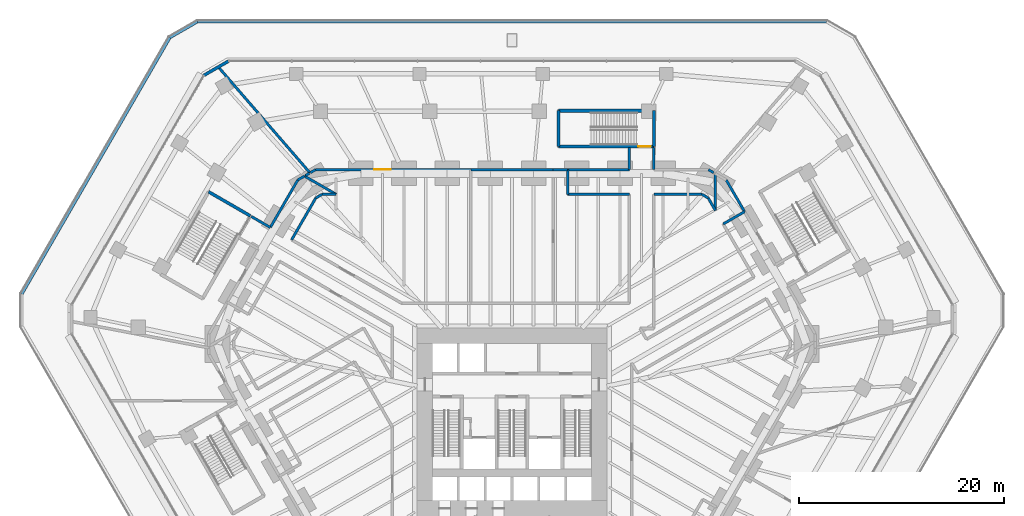
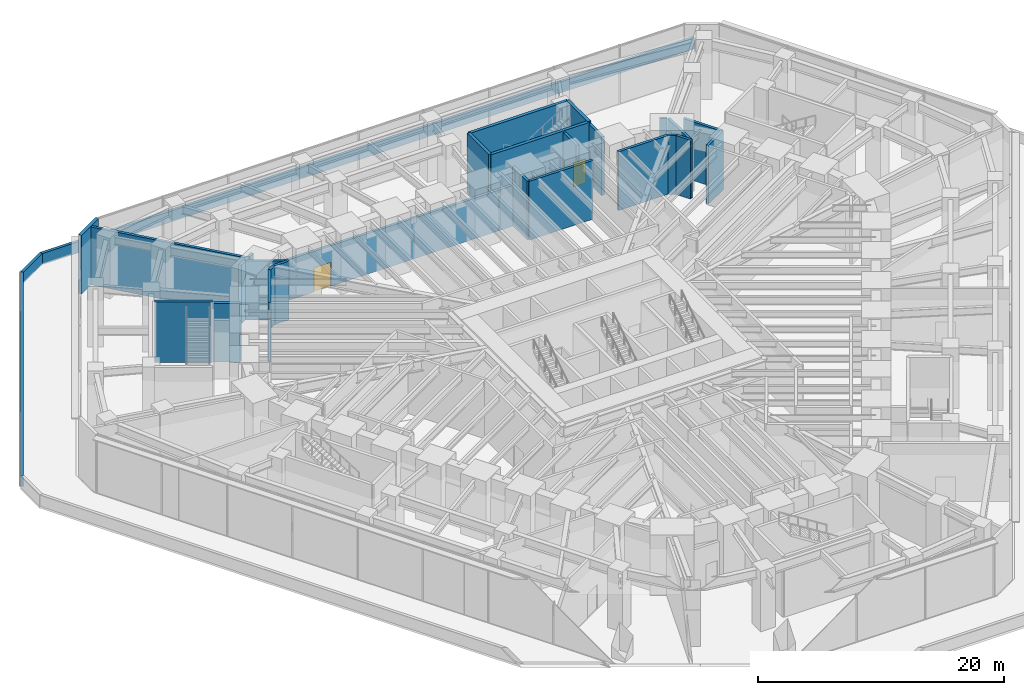
# One storey, part 19 of 25: 34 walls, 2 doors, 2 openings.
"""IFC4 building model written with IfcOpenShell, lengths in metres."""

from ifc_helpers import new_model, si_unit, direction, frame, frame_2d, origin, place, context, subcontext, project, spatial, rectangle, extrude, material, layer, layer_set, type_object, element, fill, save


model = new_model("IFC4")

# Units and contexts
model_context = context("Model", 3, precision=1e-05, world=origin(), true_north=direction((0.0, 1.0)))
body_context = subcontext(model_context, "Body", "Model", "MODEL_VIEW")
ifc_project = project(units=[si_unit("LENGTHUNIT", "METRE"), si_unit("AREAUNIT", "SQUARE_METRE"), si_unit("VOLUMEUNIT", "CUBIC_METRE"), si_unit("PLANEANGLEUNIT", "RADIAN"), si_unit("MASSUNIT", "GRAM", prefix="KILO")], contexts=[model_context])

# Site, building, storey
site_placement = place(None, origin())
site = spatial("IfcSite", under=ifc_project, at=site_placement, CompositionType="ELEMENT")
building_placement = place(site_placement, origin())
building = spatial("IfcBuilding", under=site, at=building_placement, Name="Sandreach Pilgrim Tower", CompositionType="ELEMENT")
storey_placement = place(building_placement, frame((0.0, 0.0, 6.0)))
storey = spatial("IfcBuildingStorey", under=building, at=storey_placement, Name="L01", CompositionType="ELEMENT", Elevation=6.0)

# Walls
ifc_material_1 = material(Name="Acoustic gypsum board wall, double frame", Category="gypsum")
ifc_layer_1 = layer(ifc_material_1, 0.25)
ifc_layer_set_1 = layer_set([ifc_layer_1], Name="Hall partition 250")
wall_type_1 = type_object("IfcWallType", Name="Hall partition 250", PredefinedType="PARTITIONING", material=ifc_layer_set_1)
wall_1_placement = place(storey_placement, frame((-23.56005859375, 17.419921875, 0.0), z_axis=(0.0, 0.0, 1.0), x_axis=(-0.864757143013, 0.502190286255, 0.0)))
element("IfcWall", 1, at=wall_1_placement, inside=storey, type_object=wall_type_1, Name="Hall partition L01-020", PredefinedType="PARTITIONING", context=body_context, shape_type="SweptSolid", body=[
    extrude(rectangle(XDim=2.150634765625, YDim=0.25, at=frame_2d((1.0751953125, 0.0))), origin(), (0.0, 0.0, 1.0), 5.840087890625),
])
wall_2_placement = place(storey_placement, frame((-21.47998046875, 16.219970703125, 0.0), z_axis=(0.0, 0.0, 1.0), x_axis=(0.499999753078, 0.866025546345, 0.0)))
element("IfcWall", 2, at=wall_2_placement, inside=storey, type_object=wall_type_1, Name="Hall partition L01-024", PredefinedType="PARTITIONING", context=body_context, shape_type="SweptSolid", body=[
    extrude(rectangle(XDim=4.69970703125, YDim=0.25, at=frame_2d((2.349853515625, 0.0))), origin(), (0.0, 0.0, 1.0), 5.840087890625),
])
wall_3_placement = place(storey_placement, frame((-20.8798828125, 22.050048828125, 0.0), z_axis=(0.0, 0.0, 1.0), x_axis=(-0.50097690648, -0.86546065143, 0.0)))
element("IfcWall", 3, at=wall_3_placement, inside=storey, type_object=wall_type_1, Name="Hall partition L01-026", PredefinedType="PARTITIONING", context=body_context, shape_type="SweptSolid", body=[
    extrude(rectangle(XDim=5.349853515625, YDim=0.25, at=frame_2d((2.6748046875, 0.0))), origin(), (0.0, 0.0, 1.0), 4.0400390625),
])
wall_4_placement = place(storey_placement, frame((-20.22998046875, 22.429931640625, 0.0), z_axis=(0.0, 0.0, 1.0), x_axis=(-0.863331575042, -0.504637088942, 0.0)))
element("IfcWall", 4, at=wall_4_placement, inside=storey, type_object=wall_type_1, Name="Hall partition L01-028", PredefinedType="PARTITIONING", context=body_context, shape_type="SweptSolid", body=[
    extrude(rectangle(XDim=0.752685546875, YDim=0.25, at=frame_2d((0.37646484375, 0.0))), origin(), (0.0, 0.0, 1.0), 5.840087890625),
])
wall_5_placement = place(storey_placement, frame((-19.746337890625, 22.707763671875, 0.0), z_axis=(0.0, 0.0, 1.0), x_axis=(-0.867257505244, -0.49785983931, 0.0)))
element("IfcWall", 5, at=wall_5_placement, inside=storey, type_object=wall_type_1, Name="Hall partition L01-029", PredefinedType="PARTITIONING", context=body_context, shape_type="SweptSolid", body=[
    extrude(rectangle(XDim=0.44287109375, YDim=0.25, at=frame_2d((0.221435546875, 0.0))), origin(), (0.0, 0.0, 1.0), 5.840087890625),
])
wall_6_placement = place(storey_placement, frame((-19.68994140625, 22.739990234375, 0.0), z_axis=(0.0, 0.0, 1.0), x_axis=(-0.654569518712, 0.756001815589, 0.0)))
element("IfcWall", 6, at=wall_6_placement, inside=storey, type_object=wall_type_1, Name="Hall partition L01-030", PredefinedType="PARTITIONING", context=body_context, shape_type="SweptSolid", body=[
    extrude(rectangle(XDim=13.673828125, YDim=0.25, at=frame_2d((6.8369140625, 0.0))), origin(), (0.0, 0.0, 1.0), 5.75),
])
wall_7_placement = place(storey_placement, frame((-19.14990234375, 23.050048828125, 0.0), z_axis=(0.0, 0.0, 1.0), x_axis=(-0.867193315, -0.497971640175, 0.0)))
element("IfcWall", 7, at=wall_7_placement, inside=storey, type_object=wall_type_1, Name="Hall partition L01-031", PredefinedType="PARTITIONING", context=body_context, shape_type="SweptSolid", body=[
    extrude(rectangle(XDim=0.587890625, YDim=0.25, at=frame_2d((0.2939453125, 0.0))), origin(), (0.0, 0.0, 1.0), 5.840087890625),
])
wall_8_placement = place(storey_placement, frame((-19.1298828125, 20.2900390625, 0.0), z_axis=(0.0, 0.0, 1.0), x_axis=(0.864827114446, 0.502069778138, 0.0)))
element("IfcWall", 8, at=wall_8_placement, inside=storey, type_object=wall_type_1, Name="Hall partition L01-032", PredefinedType="PARTITIONING", context=body_context, shape_type="SweptSolid", body=[
    extrude(rectangle(XDim=0.716796875, YDim=0.25, at=frame_2d((0.3583984375, 0.0))), origin(), (0.0, 0.0, 1.0), 5.840087890625),
])
wall_9_placement = place(storey_placement, frame((-18.510009765625, 20.64990234375, 0.0), z_axis=(0.0, 0.0, 1.0), x_axis=(1.0, 0.0, 0.0)))
element("IfcWall", 9, at=wall_9_placement, inside=storey, type_object=wall_type_1, Name="Hall partition L01-033", PredefinedType="PARTITIONING", context=body_context, shape_type="SweptSolid", body=[
    extrude(rectangle(XDim=1.3701171875, YDim=0.25, at=frame_2d((0.68505859375, 0.0))), origin(), (0.0, 0.0, 1.0), 5.840087890625),
])
wall_10_placement = place(storey_placement, frame((-17.139892578125, 20.64990234375, 0.0), z_axis=(0.0, 0.0, 1.0), x_axis=(-0.866514787199, 0.49915140345, 0.0)))
element("IfcWall", 10, at=wall_10_placement, inside=storey, type_object=wall_type_1, Name="Hall partition L01-034", PredefinedType="PARTITIONING", context=body_context, shape_type="SweptSolid", body=[
    extrude(rectangle(XDim=3.566162109375, YDim=0.25, at=frame_2d((1.783203125, 0.0))), origin(), (0.0, 0.0, 1.0), 5.840087890625),
])

# Wall, opening, door
wall_11_placement = place(storey_placement, frame((-4.0, 23.050048828125, 0.0), z_axis=(0.0, 0.0, 1.0), x_axis=(-1.0, 0.0, 0.0)))
wall_11 = element("IfcWall", 11, at=wall_11_placement, inside=storey, type_object=wall_type_1, Name="Hall partition L01-055", PredefinedType="PARTITIONING", context=body_context, shape_type="SweptSolid", body=[
    extrude(rectangle(XDim=15.14990234375, YDim=0.25, at=frame_2d((7.574951171875, 0.0))), origin(), (0.0, 0.0, 1.0), 4.0400390625),
])
opening_1_placement = place(wall_11_placement, frame((7.824951171875, 0.0, 0.0)))
opening_1 = element("IfcOpeningElement", 12, at=opening_1_placement, cuts=wall_11, Name="Opening D16-01", PredefinedType="OPENING", context=body_context, shape_type="SweptSolid", body=[
    extrude(rectangle(XDim=1.60009765625, YDim=2.39990234375, at=frame_2d((0.800048828125, 1.199951171875))), frame((0.0, 0.125, 0.0), z_axis=(0.0, -1.0, 0.0), x_axis=(1.0, 0.0, 0.0)), (0.0, 0.0, 1.0), 0.25),
])
ifc_material_2 = material(Name="Steel door and frame", Category="steel")
door_type_1 = type_object("IfcDoorType", Name="Hall double door", OperationType="DOUBLE_DOOR_SINGLE_SWING", PredefinedType="DOOR", material=ifc_material_2)
door_1_placement = place(opening_1_placement, origin())
door_1 = element("IfcDoor", 13, at=door_1_placement, inside=storey, type_object=door_type_1, Name="Door 0101", OperationType="DOUBLE_DOOR_SINGLE_SWING", OverallHeight=2.39990234375, OverallWidth=1.60009765625, PredefinedType="DOOR", context=body_context, shape_type="SweptSolid", body=[
    extrude(rectangle(XDim=1.60009765625, YDim=2.39990234375, at=frame_2d((0.800048828125, 1.199951171875))), frame((0.0, 0.02490234375, 0.0), z_axis=(0.0, -1.0, 0.0), x_axis=(1.0, 0.0, 0.0)), (0.0, 0.0, 1.0), 0.050048828125),
])
fill(opening_1, door_1)

# Walls
wall_12_placement = place(storey_placement, frame((4.0, 23.050048828125, 0.0), z_axis=(0.0, 0.0, 1.0), x_axis=(-1.0, 0.0, 0.0)))
element("IfcWall", 14, at=wall_12_placement, inside=storey, type_object=wall_type_1, Name="Hall partition L01-072", PredefinedType="PARTITIONING", context=body_context, shape_type="SweptSolid", body=[
    extrude(rectangle(XDim=8.0, YDim=0.25, at=frame_2d((4.0, 0.0))), origin(), (0.0, 0.0, 1.0), 4.0400390625),
])
wall_13_placement = place(storey_placement, frame((5.429931640625, 20.64990234375, 0.0), z_axis=(0.0, 0.0, 1.0), x_axis=(1.0, 0.0, 0.0)))
element("IfcWall", 15, at=wall_13_placement, inside=storey, type_object=wall_type_1, Name="Hall partition L01-075", PredefinedType="PARTITIONING", context=body_context, shape_type="SweptSolid", body=[
    extrude(rectangle(XDim=6.0, YDim=0.25, at=frame_2d((3.0, 0.0))), origin(), (0.0, 0.0, 1.0), 5.840087890625),
])
wall_14_placement = place(storey_placement, frame((5.429931640625, 23.050048828125, 0.0), z_axis=(0.0, 0.0, 1.0), x_axis=(-1.0, 0.0, 0.0)))
element("IfcWall", 16, at=wall_14_placement, inside=storey, type_object=wall_type_1, Name="Hall partition L01-076", PredefinedType="PARTITIONING", context=body_context, shape_type="SweptSolid", body=[
    extrude(rectangle(XDim=1.429931640625, YDim=0.25, at=frame_2d((0.71484375, 0.0))), origin(), (0.0, 0.0, 1.0), 4.0400390625),
])
wall_15_placement = place(storey_placement, frame((5.429931640625, 23.050048828125, 0.0), z_axis=(0.0, 0.0, 1.0), x_axis=(0.0, -1.0, 0.0)))
element("IfcWall", 17, at=wall_15_placement, inside=storey, type_object=wall_type_1, Name="Hall partition L01-077", PredefinedType="PARTITIONING", context=body_context, shape_type="SweptSolid", body=[
    extrude(rectangle(XDim=2.400146484375, YDim=0.25, at=frame_2d((1.2001953125, 0.0))), origin(), (0.0, 0.0, 1.0), 5.840087890625),
])
wall_16_placement = place(storey_placement, frame((11.429931640625, 23.050048828125, 0.0), z_axis=(0.0, 0.0, 1.0), x_axis=(-1.0, 0.0, 0.0)))
element("IfcWall", 18, at=wall_16_placement, inside=storey, type_object=wall_type_1, Name="Hall partition L01-092", PredefinedType="PARTITIONING", context=body_context, shape_type="SweptSolid", body=[
    extrude(rectangle(XDim=6.0, YDim=0.25, at=frame_2d((3.0, 0.0))), origin(), (0.0, 0.0, 1.0), 4.0400390625),
])
wall_17_placement = place(storey_placement, frame((11.429931640625, 25.199951171875, 0.0), z_axis=(0.0, 0.0, 1.0), x_axis=(0.0, -1.0, 0.0)))
element("IfcWall", 19, at=wall_17_placement, inside=storey, type_object=wall_type_1, Name="Hall partition L01-093", PredefinedType="PARTITIONING", context=body_context, shape_type="SweptSolid", body=[
    extrude(rectangle(XDim=2.14990234375, YDim=0.25, at=frame_2d((1.074951171875, 0.0))), origin(), (0.0, 0.0, 1.0), 5.840087890625),
])
wall_18_placement = place(storey_placement, frame((13.830078125, 20.64990234375, 0.0), z_axis=(0.0, 0.0, 1.0), x_axis=(1.0, 0.0, 0.0)))
element("IfcWall", 20, at=wall_18_placement, inside=storey, type_object=wall_type_1, Name="Hall partition L01-103", PredefinedType="PARTITIONING", context=body_context, shape_type="SweptSolid", body=[
    extrude(rectangle(XDim=4.679931640625, YDim=0.25, at=frame_2d((2.33984375, 0.0))), origin(), (0.0, 0.0, 1.0), 5.840087890625),
])
wall_19_placement = place(storey_placement, frame((13.830078125, 23.050048828125, 0.0), z_axis=(0.0, 0.0, 1.0), x_axis=(0.0, 1.0, 0.0)))
element("IfcWall", 21, at=wall_19_placement, inside=storey, type_object=wall_type_1, Name="Hall partition L01-104", PredefinedType="PARTITIONING", context=body_context, shape_type="SweptSolid", body=[
    extrude(rectangle(XDim=2.14990234375, YDim=0.25, at=frame_2d((1.074951171875, 0.0))), origin(), (0.0, 0.0, 1.0), 5.840087890625),
])
wall_20_placement = place(storey_placement, frame((18.510009765625, 20.64990234375, 0.0), z_axis=(0.0, 0.0, 1.0), x_axis=(0.864827114446, -0.502069778138, 0.0)))
element("IfcWall", 22, at=wall_20_placement, inside=storey, type_object=wall_type_1, Name="Hall partition L01-110", PredefinedType="PARTITIONING", context=body_context, shape_type="SweptSolid", body=[
    extrude(rectangle(XDim=0.716796875, YDim=0.25, at=frame_2d((0.3583984375, 0.0))), origin(), (0.0, 0.0, 1.0), 5.840087890625),
])
wall_21_placement = place(storey_placement, frame((19.1298828125, 20.2900390625, 0.0), z_axis=(0.0, 0.0, 1.0), x_axis=(0.500871040665, -0.865521923826, 0.0)))
element("IfcWall", 23, at=wall_21_placement, inside=storey, type_object=wall_type_1, Name="Hall partition L01-112", PredefinedType="PARTITIONING", context=body_context, shape_type="SweptSolid", body=[
    extrude(rectangle(XDim=1.39794921875, YDim=0.25, at=frame_2d((0.698974609375, 0.0))), origin(), (0.0, 0.0, 1.0), 5.840087890625),
])
wall_22_placement = place(storey_placement, frame((19.14990234375, 23.050048828125, 0.0), z_axis=(0.0, 0.0, 1.0), x_axis=(0.866627900645, -0.498954989777, 0.0)))
element("IfcWall", 24, at=wall_22_placement, inside=storey, type_object=wall_type_1, Name="Hall partition L01-114", PredefinedType="PARTITIONING", context=body_context, shape_type="SweptSolid", body=[
    extrude(rectangle(XDim=0.587646484375, YDim=0.25, at=frame_2d((0.2939453125, 0.0))), origin(), (0.0, 0.0, 1.0), 5.840087890625),
])
wall_23_placement = place(storey_placement, frame((19.830078125, 19.080078125, 0.0), z_axis=(0.0, 0.0, 1.0), x_axis=(-0.005576247883, 0.999984452609, 0.0)))
element("IfcWall", 25, at=wall_23_placement, inside=storey, type_object=wall_type_1, Name="Hall partition L01-116", PredefinedType="PARTITIONING", context=body_context, shape_type="SweptSolid", body=[
    extrude(rectangle(XDim=3.590087890625, YDim=0.25, at=frame_2d((1.794921875, 0.0))), origin(), (0.0, 0.0, 1.0), 5.840087890625),
])
wall_24_placement = place(storey_placement, frame((22.669921875, 18.9599609375, 0.0), z_axis=(0.0, 0.0, 1.0), x_axis=(-0.866177122335, -0.499737123639, 0.0)))
element("IfcWall", 26, at=wall_24_placement, inside=storey, type_object=wall_type_1, Name="Hall partition L01-121", PredefinedType="PARTITIONING", context=body_context, shape_type="SweptSolid", body=[
    extrude(rectangle(XDim=2.401123046875, YDim=0.25, at=frame_2d((1.20068359375, 0.0))), origin(), (0.0, 0.0, 1.0), 5.840087890625),
])
wall_25_placement = place(storey_placement, frame((22.669921875, 18.9599609375, 0.0), z_axis=(0.0, 0.0, 1.0), x_axis=(-0.501254541389, 0.865299881392, 0.0)))
element("IfcWall", 27, at=wall_25_placement, inside=storey, type_object=wall_type_1, Name="Hall partition L01-122", PredefinedType="PARTITIONING", context=body_context, shape_type="SweptSolid", body=[
    extrude(rectangle(XDim=3.571044921875, YDim=0.25, at=frame_2d((1.78564453125, 0.0))), origin(), (0.0, 0.0, 1.0), 5.840087890625),
])
ifc_material_3 = material(Name="Concrete 8000 psi", Category="concrete")
ifc_layer_2 = layer(ifc_material_3, 0.300048828125)
ifc_layer_set_2 = layer_set([ifc_layer_2], Name="Podium stair enclosure 300")
wall_type_2 = type_object("IfcWallType", Name="Podium stair enclosure 300", PredefinedType="SHEAR", material=ifc_layer_set_2)
wall_26_placement = place(storey_placement, frame((-29.573974609375, 20.89794921875, 0.0), z_axis=(0.0, 0.0, 1.0), x_axis=(0.866038532462, -0.499977259774, 0.0)))
element("IfcWall", 28, at=wall_26_placement, inside=storey, type_object=wall_type_2, Name="Stair ST6 enclosure L01 4", PredefinedType="SHEAR", context=body_context, shape_type="SweptSolid", body=[
    extrude(rectangle(XDim=4.699951171875, YDim=0.300048828125, at=frame_2d((2.35009765625, 0.0))), origin(), (0.0, 0.0, 1.0), 6.0),
])

# Wall, opening, door
wall_27_placement = place(storey_placement, frame((13.829833984375, 25.298828125, 0.0), z_axis=(0.0, 0.0, 1.0), x_axis=(-1.0, 0.0, 0.0)))
wall_27 = element("IfcWall", 29, at=wall_27_placement, inside=storey, type_object=wall_type_2, Name="Stair ST7 enclosure L01 1", PredefinedType="SHEAR", context=body_context, shape_type="SweptSolid", body=[
    extrude(rectangle(XDim=9.300048828125, YDim=0.300048828125, at=frame_2d((4.64990234375, 0.0))), origin(), (0.0, 0.0, 1.0), 6.0),
])
opening_2_placement = place(wall_27_placement, frame((0.300048828125, 0.0, 0.0)))
opening_2 = element("IfcOpeningElement", 30, at=opening_2_placement, cuts=wall_27, Name="Opening D12S-ST7", PredefinedType="OPENING", context=body_context, shape_type="SweptSolid", body=[
    extrude(rectangle(XDim=1.199951171875, YDim=2.39990234375, at=frame_2d((0.60009765625, 1.199951171875))), frame((0.0, 0.14990234375, 0.0), z_axis=(0.0, -1.0, 0.0), x_axis=(1.0, 0.0, 0.0)), (0.0, 0.0, 1.0), 0.300048828125),
])
ifc_material_4 = material(Name="Steel door and frame", Category="steel")
door_type_2 = type_object("IfcDoorType", Name="Narrow podium stair door", OperationType="SINGLE_SWING_LEFT", PredefinedType="DOOR", material=ifc_material_4)
door_2_placement = place(opening_2_placement, origin())
door_2 = element("IfcDoor", 31, at=door_2_placement, inside=storey, type_object=door_type_2, Name="Stair door ST7 L01", OperationType="SINGLE_SWING_LEFT", OverallHeight=2.39990234375, OverallWidth=1.199951171875, PredefinedType="DOOR", context=body_context, shape_type="SweptSolid", body=[
    extrude(rectangle(XDim=1.199951171875, YDim=2.39990234375, at=frame_2d((0.60009765625, 1.199951171875))), frame((0.0, 0.02490234375, 0.0), z_axis=(0.0, -1.0, 0.0), x_axis=(1.0, 0.0, 0.0)), (0.0, 0.0, 1.0), 0.050048828125),
])
fill(opening_2, door_2)

# Walls
wall_28_placement = place(storey_placement, frame((4.52978515625, 25.298828125, 0.0), z_axis=(0.0, 0.0, 1.0), x_axis=(0.0, 1.0, 0.0)))
element("IfcWall", 32, at=wall_28_placement, inside=storey, type_object=wall_type_2, Name="Stair ST7 enclosure L01 2", PredefinedType="SHEAR", context=body_context, shape_type="SweptSolid", body=[
    extrude(rectangle(XDim=3.5, YDim=0.300048828125, at=frame_2d((1.75, 0.0))), origin(), (0.0, 0.0, 1.0), 6.0),
])
wall_29_placement = place(storey_placement, frame((4.52978515625, 28.798828125, 0.0), z_axis=(0.0, 0.0, 1.0), x_axis=(1.0, 0.0, 0.0)))
element("IfcWall", 33, at=wall_29_placement, inside=storey, type_object=wall_type_2, Name="Stair ST7 enclosure L01 3", PredefinedType="SHEAR", context=body_context, shape_type="SweptSolid", body=[
    extrude(rectangle(XDim=9.300048828125, YDim=0.300048828125, at=frame_2d((4.64990234375, 0.0))), origin(), (0.0, 0.0, 1.0), 6.0),
])
wall_30_placement = place(storey_placement, frame((13.829833984375, 28.798828125, 0.0), z_axis=(0.0, 0.0, 1.0), x_axis=(0.0, -1.0, 0.0)))
element("IfcWall", 34, at=wall_30_placement, inside=storey, type_object=wall_type_2, Name="Stair ST7 enclosure L01 4", PredefinedType="SHEAR", context=body_context, shape_type="SweptSolid", body=[
    extrude(rectangle(XDim=3.5, YDim=0.300048828125, at=frame_2d((1.75, 0.0))), origin(), (0.0, 0.0, 1.0), 6.0),
])
ifc_material_5 = material(Name="Concrete parapet with terracotta coping", Category="masonry")
ifc_layer_3 = layer(ifc_material_5, 0.25)
ifc_layer_set_3 = layer_set([ifc_layer_3], Name="Setback parapet")
wall_type_3 = type_object("IfcWallType", Name="Setback parapet", PredefinedType="PARAPET", material=ifc_layer_set_3)
wall_31_placement = place(storey_placement, frame((-30.665283203125, 37.469482421875, 0.0), z_axis=(0.0, 0.0, 1.0), x_axis=(-0.866292085594, -0.499537808817, 0.0)))
element("IfcWall", 35, at=wall_31_placement, inside=storey, type_object=wall_type_3, Name="Setback parapet L01 1", PredefinedType="PARAPET", context=body_context, shape_type="SweptSolid", body=[
    extrude(rectangle(XDim=3.0908203125, YDim=0.25, at=frame_2d((1.54541015625, 0.0))), origin(), (0.0, 0.0, 1.0), 1.10009765625),
])
wall_32_placement = place(storey_placement, frame((-33.3427734375, 35.925537109375, 0.0), z_axis=(0.0, 0.0, 1.0), x_axis=(-0.500005626994, -0.866022155013, 0.0)))
element("IfcWall", 36, at=wall_32_placement, inside=storey, type_object=wall_type_3, Name="Setback parapet L01 2", PredefinedType="PARAPET", context=body_context, shape_type="SweptSolid", body=[
    extrude(rectangle(XDim=28.882080078125, YDim=0.25, at=frame_2d((14.44091796875, 0.0))), origin(), (0.0, 0.0, 1.0), 1.10009765625),
])
wall_33_placement = place(storey_placement, frame((30.665283203125, 37.469482421875, 0.0), z_axis=(0.0, 0.0, 1.0), x_axis=(-1.0, 0.0, 0.0)))
element("IfcWall", 37, at=wall_33_placement, inside=storey, type_object=wall_type_3, Name="Setback parapet L01 12", PredefinedType="PARAPET", context=body_context, shape_type="SweptSolid", body=[
    extrude(rectangle(XDim=61.33056640625, YDim=0.25, at=frame_2d((30.665283203125, 0.0))), origin(), (0.0, 0.0, 1.0), 1.10009765625),
])
ifc_material_6 = material(Name="Terracotta rainscreen on concrete", Category="masonry")
ifc_layer_4 = layer(ifc_material_6, 0.300048828125)
ifc_layer_set_4 = layer_set([ifc_layer_4], Name="Terracotta chamfer pier")
wall_type_4 = type_object("IfcWallType", Name="Terracotta chamfer pier", PredefinedType="SOLIDWALL", material=ifc_layer_set_4)
wall_34_placement = place(storey_placement, frame((-30.03515625, 32.248291015625, 0.0), z_axis=(0.0, 0.0, 1.0), x_axis=(0.866056369097, 0.49994636267, 0.0)))
element("IfcWall", 38, at=wall_34_placement, inside=storey, type_object=wall_type_4, Name="Chamfer pier L01 NW", PredefinedType="SOLIDWALL", context=body_context, shape_type="SweptSolid", body=[
    extrude(rectangle(XDim=2.800048828125, YDim=0.300048828125, at=frame_2d((1.39990234375, 0.0))), origin(), (0.0, 0.0, 1.0), 5.840087890625),
])

save(model, "model.ifc")
